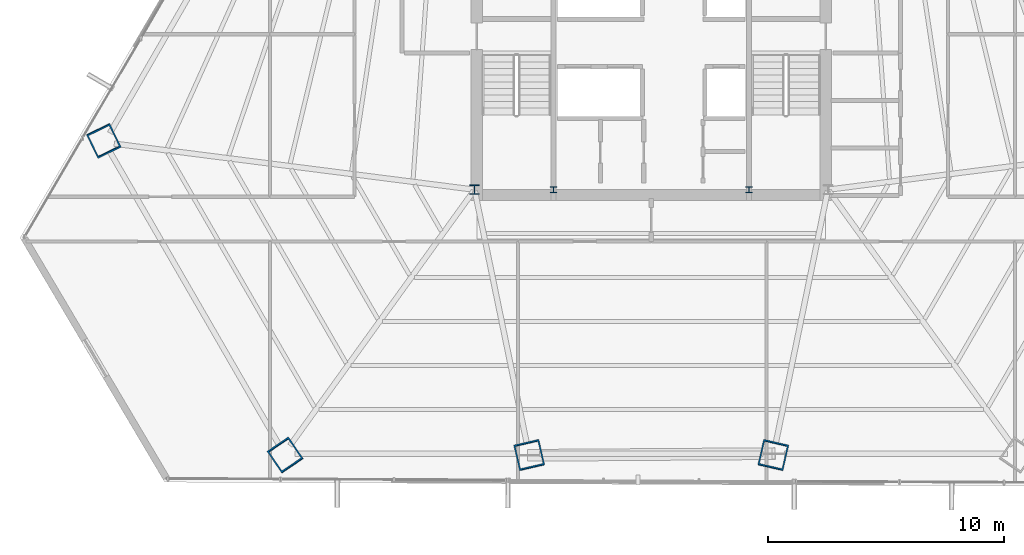
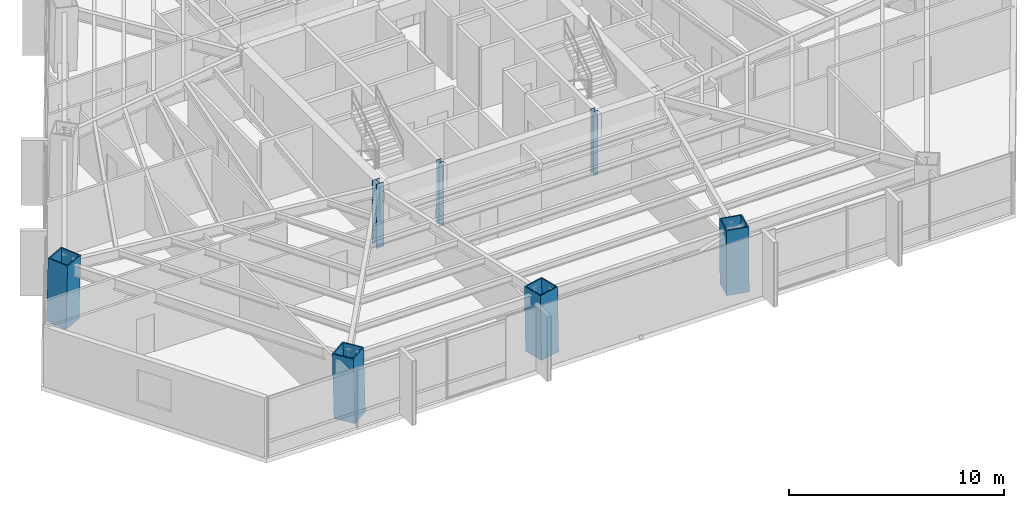
# One storey, part 1 of 35: 7 columns.
"""IFC4 building model written with IfcOpenShell, lengths in metres."""

from ifc_helpers import new_model, si_unit, direction, frame, origin, origin_2d, place, context, subcontext, project, spatial, hollow_rectangle, i_section, extrude, source, transform, mapped, material, material_profile, profile_set, type_object, type_shapes, element, save


model = new_model("IFC4")

# Units and contexts
model_context = context("Model", 3, precision=1e-05, world=origin(), true_north=direction((0.0, 1.0)))
body_context = subcontext(model_context, "Body", "Model", "MODEL_VIEW")
ifc_project = project(units=[si_unit("LENGTHUNIT", "METRE"), si_unit("AREAUNIT", "SQUARE_METRE"), si_unit("VOLUMEUNIT", "CUBIC_METRE"), si_unit("PLANEANGLEUNIT", "RADIAN"), si_unit("MASSUNIT", "GRAM", prefix="KILO")], contexts=[model_context])

# Site, building, storey
site_placement = place(None, origin())
site = spatial("IfcSite", under=ifc_project, at=site_placement, CompositionType="ELEMENT")
building_placement = place(site_placement, origin())
building = spatial("IfcBuilding", under=site, at=building_placement, Name="Caelisora Broadcast Tower", CompositionType="ELEMENT")
storey_placement = place(building_placement, frame((0.0, 0.0, 94.449951171875)))
storey = spatial("IfcBuildingStorey", under=building, at=storey_placement, Name="L24", CompositionType="ELEMENT", Elevation=94.449951171875)

# Columns
ifc_material_1 = material(Name="Steel Grade 350 (AS/NZS 3679.1)", Category="steel")
ifc_material_profile_1 = material_profile(ifc_material_1, i_section(OverallWidth=0.256103515625, OverallDepth=0.260009765625, WebThickness=0.010498046875, FlangeThickness=0.017333984375, at=origin_2d()), Name="Steel Grade 350 (AS/NZS 3679.1)")
ifc_profile_set_1 = profile_set([ifc_material_profile_1], Name="Steel Grade 350 (AS/NZS 3679.1)")
column_type_1 = type_object("IfcColumnType", Name="CC05", PredefinedType="COLUMN", material=ifc_profile_set_1)
shared_shape_1 = source(origin(), body_context, "Body", "SweptSolid", [
    extrude(i_section(OverallWidth=0.256103515625, OverallDepth=0.260009765625, WebThickness=0.010498046875, FlangeThickness=0.017333984375, at=origin_2d()), origin(), (0.0, 0.0, 1.0), 3.650146484375),
])
type_shapes(column_type_1, [shared_shape_1])
for number, where, z_axis, x_axis, name in (
    (1, (33.85009765625, 17.39990234375, 0.0), (0.0, 0.0, 1.0), (1.0, 0.0, 0.0), "L24 column CC05"),
    (2, (42.14990234375, 17.39990234375, 0.0), (0.0, 0.0, 1.0), (1.0, 0.0, 0.0), "L24 column CC05"),
):
    element("IfcColumn", number, at=place(storey_placement, frame(where, z_axis=z_axis, x_axis=x_axis)), inside=storey, type_object=column_type_1, Name=name, PredefinedType="COLUMN", context=body_context, shape_type="MappedRepresentation", body=[
        mapped(shared_shape_1, transform((0.0, 0.0, 0.0), scale=1.0)),
    ])
ifc_material_2 = material(Name="Steel Grade 350 L15 (AS/NZS 3678)", Category="steel")
ifc_material_profile_2 = material_profile(ifc_material_2, hollow_rectangle(XDim=1.10009765625, YDim=1.10009765625, WallThickness=0.06005859375, at=origin_2d()), Name="Steel Grade 350 L15 (AS/NZS 3678)")
ifc_profile_set_2 = profile_set([ifc_material_profile_2], Name="Steel Grade 350 L15 (AS/NZS 3678)")
column_type_2 = type_object("IfcColumnType", Name="MC03", PredefinedType="COLUMN", material=ifc_profile_set_2)
shared_shape_2 = source(origin(), body_context, "Body", "SweptSolid", [
    extrude(hollow_rectangle(XDim=1.10009765625, YDim=1.10009765625, WallThickness=0.06005859375, at=origin_2d()), origin(), (0.0, 0.0, 1.0), 3.65087890625),
])
for number, where, z_axis, x_axis, name in (
    (3, (32.822509765625, 6.1240234375, 0.0), (-0.004547252648, 0.019793923291, 0.999793740276), (-0.974612694662, -0.223897510936, 0.0), "L24 column MC03"),
    (4, (43.177490234375, 6.1240234375, 0.0), (0.004547252648, 0.019793923291, 0.999793740276), (-0.974612694662, 0.223897510936, 0.0), "L24 column MC03"),
):
    element("IfcColumn", number, at=place(storey_placement, frame(where, z_axis=z_axis, x_axis=x_axis)), inside=storey, type_object=column_type_2, Name=name, PredefinedType="COLUMN", context=body_context, shape_type="MappedRepresentation", body=[
        mapped(shared_shape_2, transform((0.0, 0.0, 0.0), scale=1.0)),
    ])
ifc_material_3 = material(Name="Steel Grade 350 (AS/NZS 3679.2)", Category="steel")
ifc_material_profile_3 = material_profile(ifc_material_3, i_section(OverallWidth=0.39990234375, OverallDepth=0.39990234375, WebThickness=0.02001953125, FlangeThickness=0.031982421875, at=origin_2d()), Name="Steel Grade 350 (AS/NZS 3679.2)")
ifc_profile_set_3 = profile_set([ifc_material_profile_3], Name="Steel Grade 350 (AS/NZS 3679.2)")
column_type_3 = type_object("IfcColumnType", Name="CC02", PredefinedType="COLUMN", material=ifc_profile_set_3)
shared_shape_3 = source(origin(), body_context, "Body", "SweptSolid", [
    extrude(i_section(OverallWidth=0.39990234375, OverallDepth=0.39990234375, WebThickness=0.02001953125, FlangeThickness=0.031982421875, at=origin_2d()), origin(), (0.0, 0.0, 1.0), 3.650146484375),
])
type_shapes(column_type_3, [shared_shape_3])
column_placement = place(storey_placement, frame((30.5, 17.39990234375, 0.0), z_axis=(0.0, 0.0, 1.0), x_axis=(1.0, 0.0, 0.0)))
element("IfcColumn", 5, at=column_placement, inside=storey, type_object=column_type_3, Name="L24 column CC02", PredefinedType="COLUMN", context=body_context, shape_type="MappedRepresentation", body=[
    mapped(shared_shape_3, transform((0.0, 0.0, 0.0), scale=1.0)),
])
shared_shape_4 = source(origin(), body_context, "Body", "SweptSolid", [
    extrude(hollow_rectangle(XDim=1.10009765625, YDim=1.10009765625, WallThickness=0.06005859375, at=origin_2d()), origin(), (0.0, 0.0, 1.0), 3.651123046875),
])
type_shapes(column_type_2, [shared_shape_2, shared_shape_4])
for number, where, z_axis, x_axis, name in (
    (6, (14.752685546875, 19.486083984375, 0.0), (0.010431098089, -0.021530856313, 0.999713766245), (0.899947055326, 0.435999194506, 0.0), "L24 column MC03"),
    (7, (22.46728515625, 6.1240234375, 0.0), (-0.013440068782, 0.019792340097, 0.999713772949), (-0.827290216258, -0.561774775229, 0.0), "L24 column MC03"),
):
    element("IfcColumn", number, at=place(storey_placement, frame(where, z_axis=z_axis, x_axis=x_axis)), inside=storey, type_object=column_type_2, Name=name, PredefinedType="COLUMN", context=body_context, shape_type="MappedRepresentation", body=[
        mapped(shared_shape_4, transform((0.0, 0.0, 0.0), scale=1.0)),
    ])

save(model, "model.ifc")
